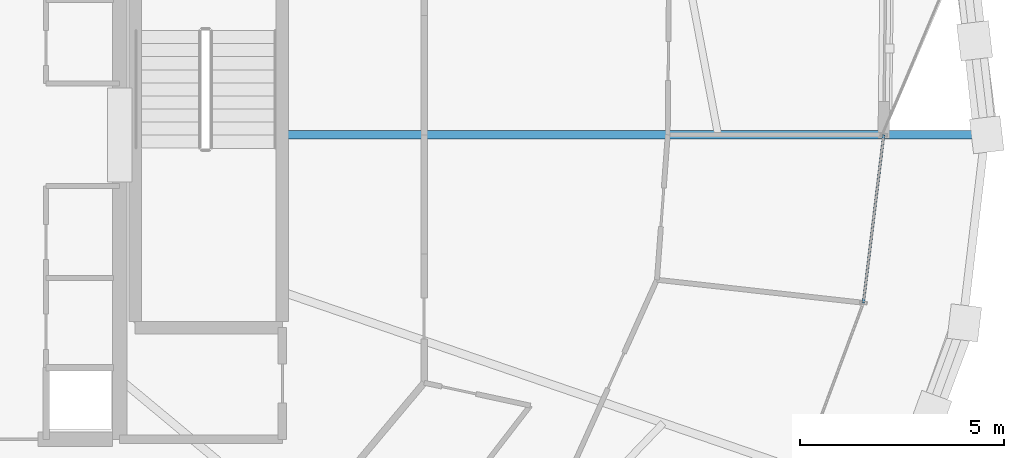
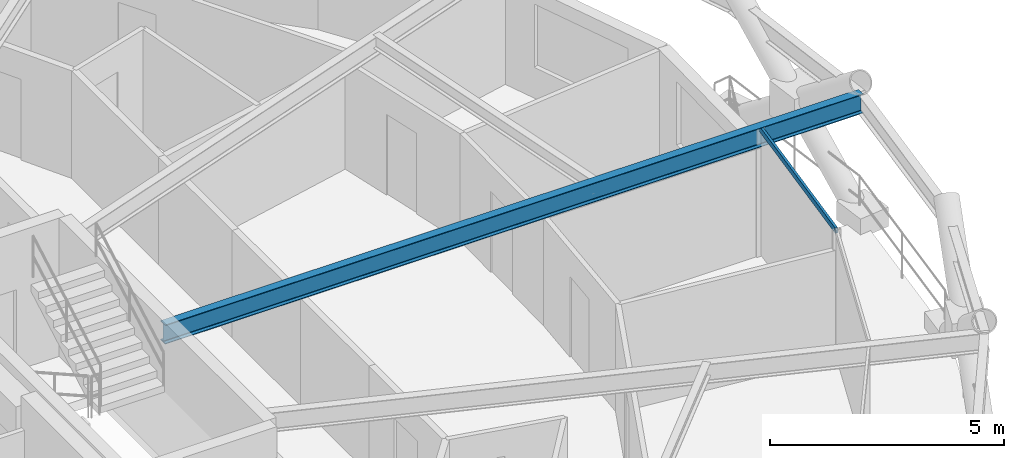
# One storey, part 10 of 21: 1 beam, 1 member, 1 element without a shape of its own.
"""IFC4 building model written with IfcOpenShell, lengths in metres."""

from ifc_helpers import new_model, si_unit, direction, frame, origin, origin_2d, place, context, subcontext, project, spatial, hollow_rectangle, i_section, extrude, material, layer, layer_set, material_profile, profile_set, type_object, element, aggregate, save


model = new_model("IFC4")

# Units and contexts
model_context = context("Model", 3, precision=1e-05, world=origin(), true_north=direction((0.0, 1.0)))
body_context = subcontext(model_context, "Body", "Model", "MODEL_VIEW")
ifc_project = project(units=[si_unit("LENGTHUNIT", "METRE"), si_unit("AREAUNIT", "SQUARE_METRE"), si_unit("VOLUMEUNIT", "CUBIC_METRE"), si_unit("PLANEANGLEUNIT", "RADIAN"), si_unit("MASSUNIT", "GRAM", prefix="KILO")], contexts=[model_context])

# Site, building, storey
site_placement = place(None, origin())
site = spatial("IfcSite", under=ifc_project, at=site_placement, CompositionType="ELEMENT")
building_placement = place(site_placement, origin())
building = spatial("IfcBuilding", under=site, at=building_placement, Name="Veldorina Hangang Commons", CompositionType="ELEMENT")
storey_placement = place(building_placement, frame((0.0, 0.0, 142.39990234375)))
storey = spatial("IfcBuildingStorey", under=building, at=storey_placement, Name="L36", CompositionType="ELEMENT", Elevation=142.39990234375)

# Beam
ifc_material_1 = material(Name="Steel SM420-TMC", Category="steel")
ifc_material_profile_1 = material_profile(ifc_material_1, i_section(OverallWidth=0.199951171875, OverallDepth=0.5, WebThickness=0.010009765625, FlangeThickness=0.01611328125, FilletRadius=0.01611328125, at=origin_2d()), Name="H-500x200x10x16")
ifc_profile_set_1 = profile_set([ifc_material_profile_1], Name="Steel SM420-TMC")
beam_type = type_object("IfcBeamType", Name="BM-FG500", PredefinedType="BEAM", material=ifc_profile_set_1)
beam_placement = place(storey_placement, frame((43.179931640625, 24.0, 3.10009765625), z_axis=(1.0, 0.0, 0.0), x_axis=(0.0, 1.0, 0.0)))
element("IfcBeam", 1, at=beam_placement, inside=storey, type_object=beam_type, Name="L36 radial floor girder 01", PredefinedType="BEAM", context=body_context, shape_type="SweptSolid", body=[
    extrude(i_section(OverallWidth=0.199951171875, OverallDepth=0.5, WebThickness=0.010009765625, FlangeThickness=0.01611328125, FilletRadius=0.01611328125, at=origin_2d()), origin(), (0.0, 0.0, 1.0), 17.19677734375),
])

# Curtain wall, member
ifc_material_2 = material(Name="Glass Low-E Triple IGU", Category="glass")
ifc_layer = layer(ifc_material_2, 0.179931640625)
ifc_layer_set = layer_set([ifc_layer], Name="Glass Low-E Triple IGU")
curtain_wall_type = type_object("IfcCurtainWallType", Name="CW-SYS-Z2", PredefinedType="NOTDEFINED", material=ifc_layer_set)
curtain_wall_placement = place(storey_placement, origin())
curtain_wall = element("IfcCurtainWall", 2, at=curtain_wall_placement, inside=storey, type_object=curtain_wall_type, Name="L36 unitised curtain wall CW-L36-R2", PredefinedType="NOTDEFINED")
ifc_material_3 = material(Name="Aluminium Anodized AA6063-T6", Category="aluminium")
ifc_material_profile_2 = material_profile(ifc_material_3, hollow_rectangle(XDim=0.06005859375, YDim=0.139892578125, WallThickness=0.00341796875, at=origin_2d()), Name="ALU-RHS-140x60x3.5")
ifc_profile_set_2 = profile_set([ifc_material_profile_2], Name="Aluminium Anodized AA6063-T6")
member_type = type_object("IfcMemberType", Name="CW-TRN-140", PredefinedType="USERDEFINED", material=ifc_profile_set_2)
member_placement = place(storey_placement, frame((57.39697265625, 19.889404296875, 3.27001953125), z_axis=(0.120165843599, 0.992753831537, 0.0), x_axis=(-0.992753831537, 0.120165843599, 0.0)))
member = element("IfcMember", 3, at=member_placement, type_object=member_type, Name="CW-L36-R2 facet 5 transom 1", ObjectType="TRANSOM", PredefinedType="USERDEFINED", context=body_context, shape_type="SweptSolid", body=[
    extrude(hollow_rectangle(XDim=0.06005859375, YDim=0.139892578125, WallThickness=0.00341796875, at=origin_2d()), origin(), (0.0, 0.0, 1.0), 4.140625),
])
aggregate(curtain_wall, [member])

save(model, "model.ifc")
